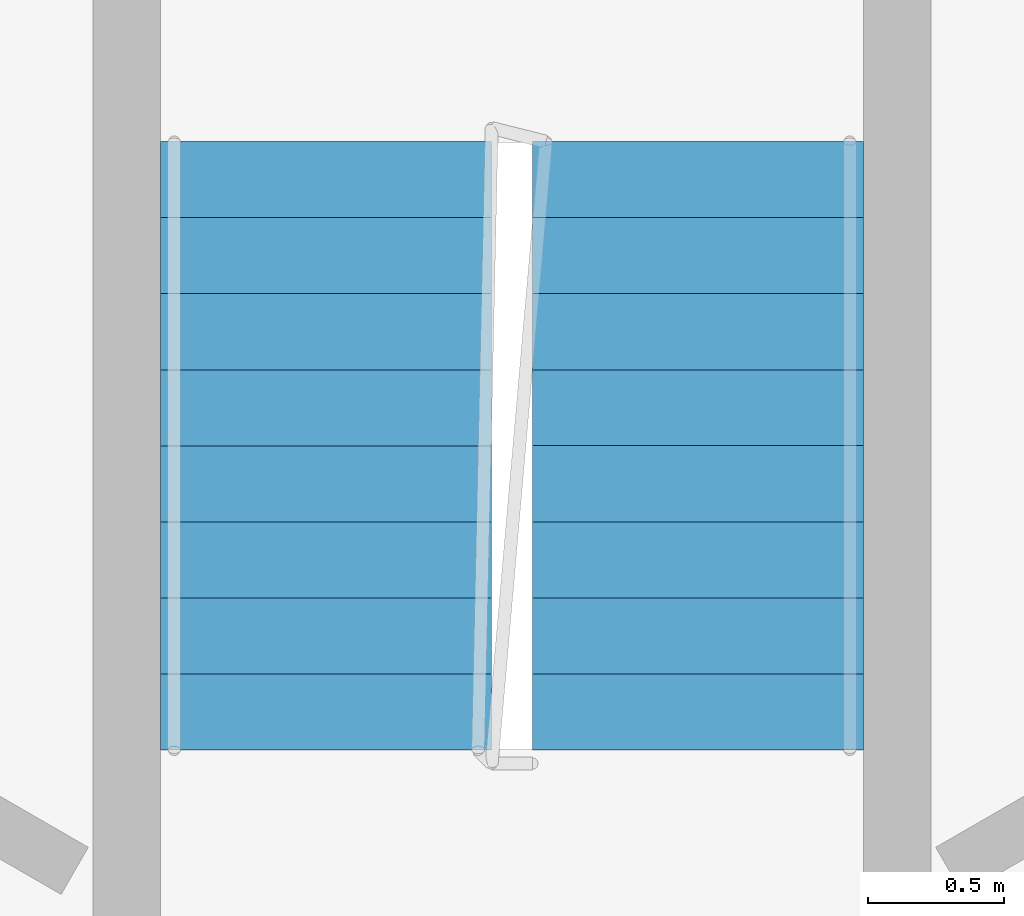
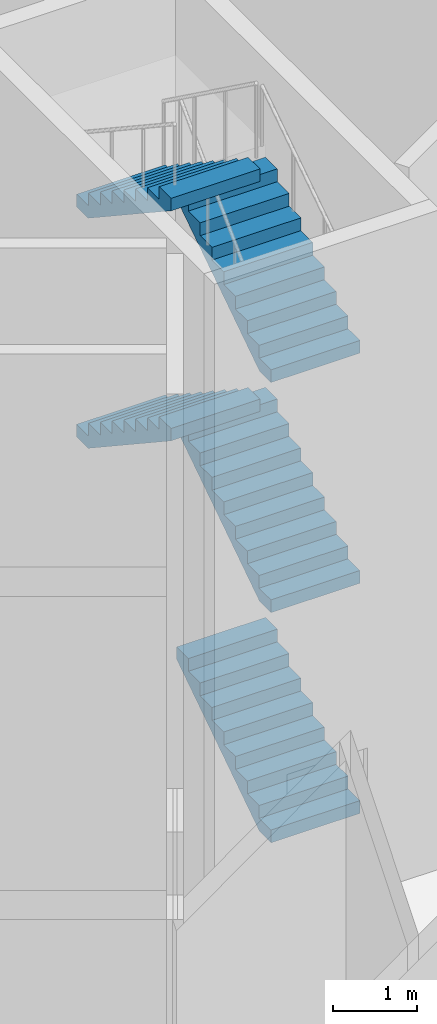
# One storey, part 14 of 18: 5 stair flights, 1 element without a shape of its own.
"""IFC4 building model written with IfcOpenShell, lengths in metres."""

from ifc_helpers import new_model, si_unit, direction, frame, origin, place, context, subcontext, project, spatial, polyline, outline, extrude, material, type_object, element, aggregate, save


model = new_model("IFC4")

# Units and contexts
model_context = context("Model", 3, precision=1e-05, world=origin(), true_north=direction((0.0, 1.0)))
body_context = subcontext(model_context, "Body", "Model", "MODEL_VIEW")
ifc_project = project(units=[si_unit("LENGTHUNIT", "METRE"), si_unit("AREAUNIT", "SQUARE_METRE"), si_unit("VOLUMEUNIT", "CUBIC_METRE"), si_unit("PLANEANGLEUNIT", "RADIAN"), si_unit("MASSUNIT", "GRAM", prefix="KILO")], contexts=[model_context])

# Site, building, storey
site_placement = place(None, origin())
site = spatial("IfcSite", under=ifc_project, at=site_placement, CompositionType="ELEMENT")
building_placement = place(site_placement, origin())
building = spatial("IfcBuilding", under=site, at=building_placement, Name="Cormorant Prow Tower", CompositionType="ELEMENT")
storey_placement = place(building_placement, origin())
storey = spatial("IfcBuildingStorey", under=building, at=storey_placement, Name="L00", CompositionType="ELEMENT", Elevation=0.0)

# Stair, stair flights
ifc_material_1 = material(Name="Exit stair 54 risers")
stair_type = type_object("IfcStairType", Name="Exit stair 54 risers", PredefinedType="HALF_TURN_STAIR", material=ifc_material_1)
stair_placement = place(storey_placement, origin())
stair = element("IfcStair", 1, at=stair_placement, inside=storey, type_object=stair_type, Name="L00 Exit stair ST3", PredefinedType="HALF_TURN_STAIR")
ifc_material_2 = material(Name="Concrete 5000 psi", Category="concrete")
stair_flight_type = type_object("IfcStairFlightType", Name="Stair flight 1219", PredefinedType="STRAIGHT", material=ifc_material_2)
stair_flight_1_placement = place(storey_placement, frame((0.6845703125, 6.455810546875, 0.0), z_axis=(0.0, 0.0, 1.0), x_axis=(0.0, 1.0, 0.0)))
stair_flight_1 = element("IfcStairFlight", 2, at=stair_flight_1_placement, type_object=stair_flight_type, Name="ST3 flight 1", NumberOfRisers=9, NumberOfTreads=8, PredefinedType="STRAIGHT", RiserHeight=0.185185185, TreadLength=0.28, context=body_context, shape_type="SweptSolid", body=[
    extrude(outline(polyline([(0.0, 0.0), (0.0, 0.185302734375), (0.280029296875, 0.185302734375), (0.280029296875, 0.370361328125), (0.56005859375, 0.370361328125), (0.56005859375, 0.5556640625), (0.840087890625, 0.5556640625), (0.840087890625, 0.74072265625), (1.1201171875, 0.74072265625), (1.1201171875, 0.926025390625), (1.39990234375, 0.926025390625), (1.39990234375, 1.111083984375), (1.679931640625, 1.111083984375), (1.679931640625, 1.29638671875), (1.9599609375, 1.29638671875), (1.9599609375, 1.4814453125), (2.239990234375, 1.4814453125), (2.239990234375, 1.666748046875), (2.239990234375, 1.3017578125), (0.271728515625, 0.0), (0.0, 0.0)])), frame((0.0, 0.609375, 0.0), z_axis=(0.0, -1.0, 0.0), x_axis=(1.0, 0.0, 0.0)), (0.0, 0.0, 1.0), 1.218994140625),
])
stair_flight_2_placement = place(storey_placement, frame((0.6845703125, 6.455810546875, 3.333251953125), z_axis=(0.0, 0.0, 1.0), x_axis=(0.0, 1.0, 0.0)))
stair_flight_2 = element("IfcStairFlight", 3, at=stair_flight_2_placement, type_object=stair_flight_type, Name="ST3 flight 3", NumberOfRisers=9, NumberOfTreads=8, PredefinedType="STRAIGHT", RiserHeight=0.185185185, TreadLength=0.28, context=body_context, shape_type="SweptSolid", body=[
    extrude(outline(polyline([(0.0, 0.0), (0.0, 0.185302734375), (0.280029296875, 0.185302734375), (0.280029296875, 0.370361328125), (0.56005859375, 0.370361328125), (0.56005859375, 0.5556640625), (0.840087890625, 0.5556640625), (0.840087890625, 0.74072265625), (1.1201171875, 0.74072265625), (1.1201171875, 0.926025390625), (1.39990234375, 0.926025390625), (1.39990234375, 1.111083984375), (1.679931640625, 1.111083984375), (1.679931640625, 1.29638671875), (1.9599609375, 1.29638671875), (1.9599609375, 1.4814453125), (2.239990234375, 1.4814453125), (2.239990234375, 1.666748046875), (2.239990234375, 1.3017578125), (0.271728515625, 0.0), (0.0, 0.0)])), frame((0.0, 0.609375, 0.0), z_axis=(0.0, -1.0, 0.0), x_axis=(1.0, 0.0, 0.0)), (0.0, 0.0, 1.0), 1.218994140625),
])
stair_flight_3_placement = place(storey_placement, frame((-0.6845703125, 8.69580078125, 5.0), z_axis=(0.0, 0.0, 1.0), x_axis=(0.0, -1.0, 0.0)))
stair_flight_3 = element("IfcStairFlight", 4, at=stair_flight_3_placement, type_object=stair_flight_type, Name="ST3 flight 4", NumberOfRisers=9, NumberOfTreads=8, PredefinedType="STRAIGHT", RiserHeight=0.185185185, TreadLength=0.28, context=body_context, shape_type="SweptSolid", body=[
    extrude(outline(polyline([(0.0, 0.0), (0.0, 0.185302734375), (0.280029296875, 0.185302734375), (0.280029296875, 0.370361328125), (0.56005859375, 0.370361328125), (0.56005859375, 0.5556640625), (0.840087890625, 0.5556640625), (0.840087890625, 0.74072265625), (1.1201171875, 0.74072265625), (1.1201171875, 0.926025390625), (1.39990234375, 0.926025390625), (1.39990234375, 1.111083984375), (1.679931640625, 1.111083984375), (1.679931640625, 1.29638671875), (1.9599609375, 1.29638671875), (1.9599609375, 1.4814453125), (2.239990234375, 1.4814453125), (2.239990234375, 1.666748046875), (2.239990234375, 1.3017578125), (0.271728515625, 0.0), (0.0, 0.0)])), frame((0.0, 0.609375, 0.0), z_axis=(0.0, -1.0, 0.0), x_axis=(1.0, 0.0, 0.0)), (0.0, 0.0, 1.0), 1.218994140625),
])
stair_flight_4_placement = place(storey_placement, frame((0.6845703125, 6.455810546875, 6.666748046875), z_axis=(0.0, 0.0, 1.0), x_axis=(0.0, 1.0, 0.0)))
stair_flight_4 = element("IfcStairFlight", 5, at=stair_flight_4_placement, type_object=stair_flight_type, Name="ST3 flight 5", NumberOfRisers=9, NumberOfTreads=8, PredefinedType="STRAIGHT", RiserHeight=0.185185185, TreadLength=0.28, context=body_context, shape_type="SweptSolid", body=[
    extrude(outline(polyline([(0.0, 0.0), (0.0, 0.185302734375), (0.280029296875, 0.185302734375), (0.280029296875, 0.370361328125), (0.56005859375, 0.370361328125), (0.56005859375, 0.5556640625), (0.840087890625, 0.5556640625), (0.840087890625, 0.74072265625), (1.1201171875, 0.74072265625), (1.1201171875, 0.926025390625), (1.39990234375, 0.926025390625), (1.39990234375, 1.111083984375), (1.679931640625, 1.111083984375), (1.679931640625, 1.29638671875), (1.9599609375, 1.29638671875), (1.9599609375, 1.4814453125), (2.239990234375, 1.4814453125), (2.239990234375, 1.666748046875), (2.239990234375, 1.3017578125), (0.271728515625, 0.0), (0.0, 0.0)])), frame((0.0, 0.609375, 0.0), z_axis=(0.0, -1.0, 0.0), x_axis=(1.0, 0.0, 0.0)), (0.0, 0.0, 1.0), 1.218994140625),
])
stair_flight_5_placement = place(storey_placement, frame((-0.6845703125, 8.69580078125, 8.333251953125), z_axis=(0.0, 0.0, 1.0), x_axis=(0.0, -1.0, 0.0)))
stair_flight_5 = element("IfcStairFlight", 6, at=stair_flight_5_placement, type_object=stair_flight_type, Name="ST3 flight 6", NumberOfRisers=9, NumberOfTreads=8, PredefinedType="STRAIGHT", RiserHeight=0.185185185, TreadLength=0.28, context=body_context, shape_type="SweptSolid", body=[
    extrude(outline(polyline([(0.0, 0.0), (0.0, 0.185302734375), (0.280029296875, 0.185302734375), (0.280029296875, 0.370361328125), (0.56005859375, 0.370361328125), (0.56005859375, 0.5556640625), (0.840087890625, 0.5556640625), (0.840087890625, 0.74072265625), (1.1201171875, 0.74072265625), (1.1201171875, 0.926025390625), (1.39990234375, 0.926025390625), (1.39990234375, 1.111083984375), (1.679931640625, 1.111083984375), (1.679931640625, 1.29638671875), (1.9599609375, 1.29638671875), (1.9599609375, 1.4814453125), (2.239990234375, 1.4814453125), (2.239990234375, 1.666748046875), (2.239990234375, 1.3017578125), (0.271728515625, 0.0), (0.0, 0.0)])), frame((0.0, 0.609375, 0.0), z_axis=(0.0, -1.0, 0.0), x_axis=(1.0, 0.0, 0.0)), (0.0, 0.0, 1.0), 1.218994140625),
])
aggregate(stair, [stair_flight_1, stair_flight_2, stair_flight_3, stair_flight_4, stair_flight_5])

save(model, "model.ifc")
